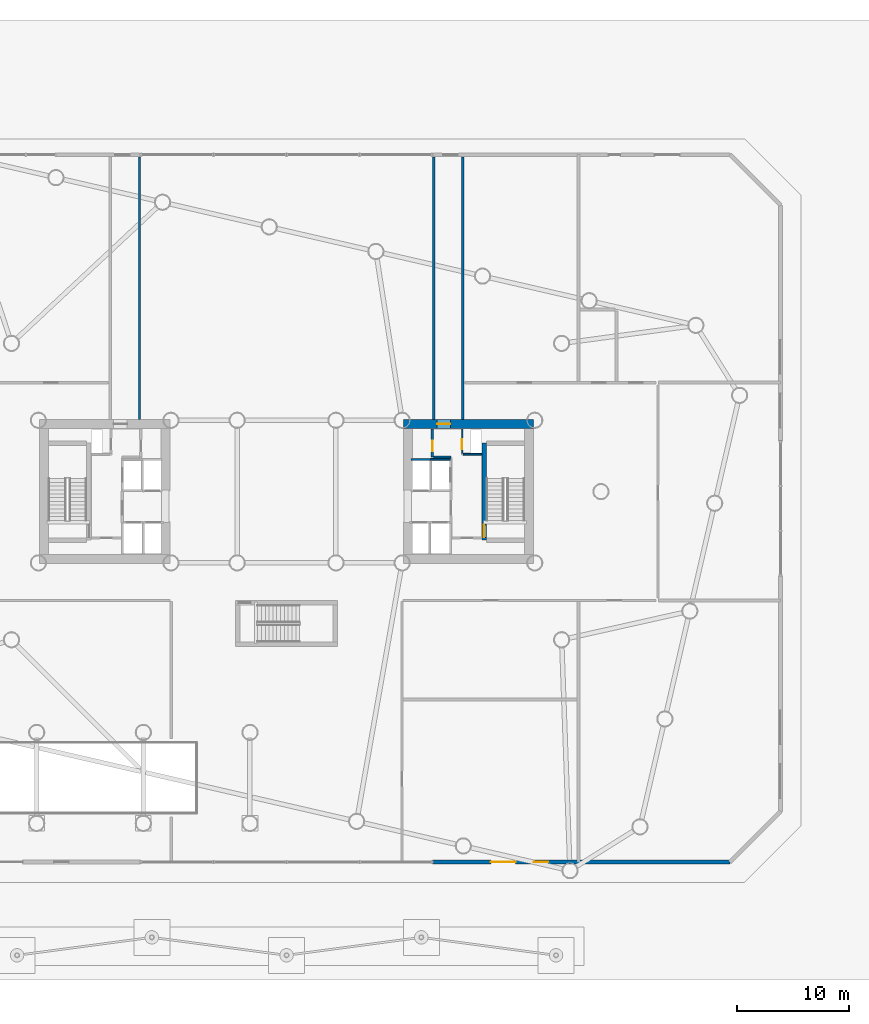
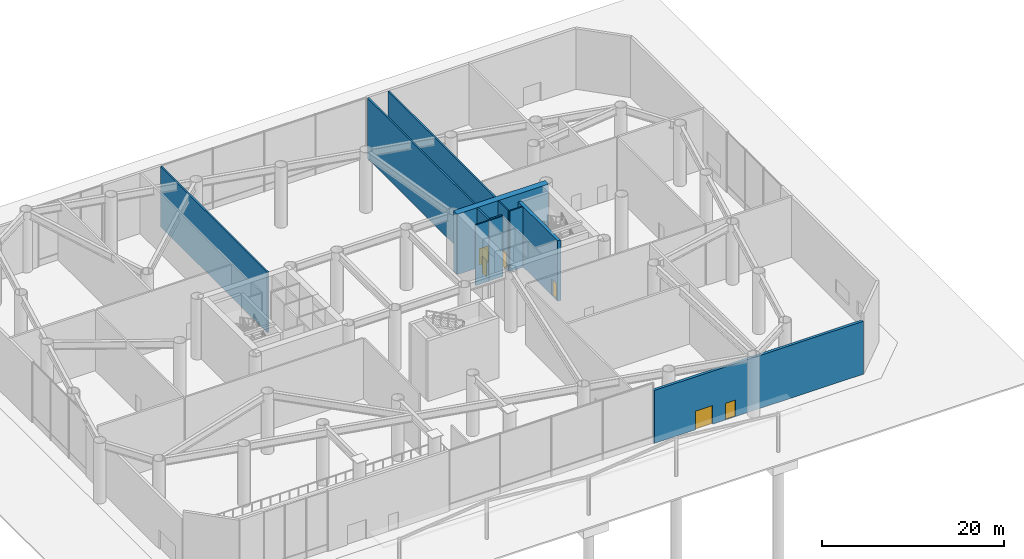
# One storey, part 22 of 28: 12 walls, 6 doors, 6 openings.
"""IFC4 building model written with IfcOpenShell, lengths in metres."""

from ifc_helpers import new_model, si_unit, direction, frame, frame_2d, origin, place, context, subcontext, project, spatial, rectangle, extrude, material, layer, layer_set, type_object, element, fill, save


model = new_model("IFC4")

# Units and contexts
model_context = context("Model", 3, precision=1e-05, world=origin(), true_north=direction((0.0, 1.0)))
body_context = subcontext(model_context, "Body", "Model", "MODEL_VIEW")
ifc_project = project(units=[si_unit("LENGTHUNIT", "METRE"), si_unit("AREAUNIT", "SQUARE_METRE"), si_unit("VOLUMEUNIT", "CUBIC_METRE"), si_unit("PLANEANGLEUNIT", "RADIAN"), si_unit("MASSUNIT", "GRAM", prefix="KILO")], contexts=[model_context])

# Site, building, storey
site_placement = place(None, origin())
site = spatial("IfcSite", under=ifc_project, at=site_placement, CompositionType="ELEMENT")
building_placement = place(site_placement, origin())
building = spatial("IfcBuilding", under=site, at=building_placement, Name="Tavrogorsk Clinical Tower", CompositionType="ELEMENT")
storey_placement = place(building_placement, origin())
storey = spatial("IfcBuildingStorey", under=building, at=storey_placement, Name="L00", CompositionType="ELEMENT", Elevation=0.0)

# Wall, opening, door
ifc_material_1 = material(Name="Concrete B60", Category="concrete")
ifc_layer_1 = layer(ifc_material_1, 0.199951171875)
ifc_layer_set_1 = layer_set([ifc_layer_1], Name="Concrete B60")
wall_type_1 = type_object("IfcWallType", Name="CoreFireWall_200", PredefinedType="SOLIDWALL", material=ifc_layer_set_1)
wall_1_placement = place(storey_placement, frame((12.97998046875, 3.06494140625, 0.0), z_axis=(0.0, 0.0, 1.0), x_axis=(0.0, 1.0, 0.0)))
wall_1 = element("IfcWall", 1, at=wall_1_placement, inside=storey, type_object=wall_type_1, Name="L00 Core East North Core Room East Wall", PredefinedType="SOLIDWALL", context=body_context, shape_type="SweptSolid", body=[
    extrude(rectangle(XDim=2.4951171875, YDim=0.199951171875, at=frame_2d((1.24755859375, 0.0))), origin(), (0.0, 0.0, 1.0), 8.10009765625),
])
opening_1_placement = place(wall_1_placement, frame((0.52001953125, 0.0, 0.0)))
opening_1 = element("IfcOpeningElement", 2, at=opening_1_placement, cuts=wall_1, Name="Opening ID-02", PredefinedType="OPENING", context=body_context, shape_type="SweptSolid", body=[
    extrude(rectangle(XDim=0.949951171875, YDim=2.199951171875, at=frame_2d((0.47509765625, 1.10009765625))), frame((0.0, 0.10986328125, 0.0), z_axis=(0.0, -1.0, 0.0), x_axis=(1.0, 0.0, 0.0)), (0.0, 0.0, 1.0), 0.219970703125),
])
ifc_material_2 = material(Name="Laminated timber leaf on aluminium frame", Category="wood")
door_type_1 = type_object("IfcDoorType", Name="InteriorDoor_ID02_950", OperationType="NOTDEFINED", PredefinedType="DOOR", material=ifc_material_2)
door_1_placement = place(opening_1_placement, origin())
door_1 = element("IfcDoor", 3, at=door_1_placement, inside=storey, type_object=door_type_1, Name="L00 Core East Core Telemetry Room Door", OperationType="SINGLE_SWING_LEFT", OverallHeight=2.199951171875, OverallWidth=0.949951171875, PredefinedType="DOOR", context=body_context, shape_type="SweptSolid", body=[
    extrude(rectangle(XDim=0.949951171875, YDim=2.199951171875, at=frame_2d((0.47509765625, 1.10009765625))), frame((0.0, 0.02490234375, 0.0), z_axis=(0.0, -1.0, 0.0), x_axis=(1.0, 0.0, 0.0)), (0.0, 0.0, 1.0), 0.050048828125),
])
fill(opening_1, door_1)

# Walls
wall_2_placement = place(storey_placement, frame((13.0849609375, 3.06005859375, 0.0), z_axis=(0.0, 0.0, 1.0), x_axis=(1.0, 0.0, 0.0)))
element("IfcWall", 4, at=wall_2_placement, inside=storey, type_object=wall_type_1, Name="L00 Core East Protected Exit Neck South Wall", PredefinedType="SOLIDWALL", context=body_context, shape_type="SweptSolid", body=[
    extrude(rectangle(XDim=1.554931640625, YDim=0.199951171875, at=frame_2d((0.77734375, 0.0))), origin(), (0.0, 0.0, 1.0), 8.10009765625),
])
for number, where, z_axis, x_axis, name in (
    (5, (-13.10009765625, 6.409912109375, 0.0), (0.0, 0.0, 1.0), (0.0, 1.0, 0.0), "L00 West Exit Passageway East Fire Wall"),
    (6, (13.10009765625, 6.409912109375, 0.0), (0.0, 0.0, 1.0), (0.0, 1.0, 0.0), "L00 East Exit Passageway West Fire Wall"),
    (7, (15.699951171875, 6.409912109375, 0.0), (0.0, 0.0, 1.0), (0.0, 1.0, 0.0), "L00 East Exit Passageway East Fire Wall"),
):
    element("IfcWall", number, at=place(storey_placement, frame(where, z_axis=z_axis, x_axis=x_axis)), inside=storey, type_object=wall_type_1, Name=name, PredefinedType="SOLIDWALL", context=body_context, shape_type="SweptSolid", body=[
        extrude(rectangle(XDim=23.41015625, YDim=0.199951171875, at=frame_2d((11.705078125, 0.0))), origin(), (0.0, 0.0, 1.0), 8.10009765625),
    ])

# Wall, openings, doors
ifc_material_3 = material(Name="Precast concrete B45 with limestone cladding", Category="masonry")
ifc_layer_2 = layer(ifc_material_3, 0.340087890625)
ifc_layer_set_2 = layer_set([ifc_layer_2], Name="Precast concrete B45 with limestone cladding")
wall_type_2 = type_object("IfcWallType", Name="PrecastLimestoneWall_340", PredefinedType="STANDARD", material=ifc_layer_set_2)
wall_3_placement = place(storey_placement, frame((13.0, -33.0, 0.0), z_axis=(0.0, 0.0, 1.0), x_axis=(1.0, 0.0, 0.0)))
wall_3 = element("IfcWall", 8, at=wall_3_placement, inside=storey, type_object=wall_type_2, Name="L00 Limestone Lobby Wall 1-3", PredefinedType="STANDARD", context=body_context, shape_type="SweptSolid", body=[
    extrude(rectangle(XDim=26.5, YDim=0.340087890625, at=frame_2d((13.25, 0.0))), origin(), (0.0, 0.0, 1.0), 7.094970703125),
])
opening_2_placement = place(wall_3_placement, frame((5.199951171875, 0.0, 0.0)))
opening_2 = element("IfcOpeningElement", 9, at=opening_2_placement, cuts=wall_3, Name="Opening ED-02", PredefinedType="OPENING", context=body_context, shape_type="SweptSolid", body=[
    extrude(rectangle(XDim=2.199951171875, YDim=2.5, at=frame_2d((1.10009765625, 1.25))), frame((0.0, 0.179931640625, 0.0), z_axis=(0.0, -1.0, 0.0), x_axis=(1.0, 0.0, 0.0)), (0.0, 0.0, 1.0), 0.360107421875),
])
opening_3_placement = place(wall_3_placement, frame((9.0, 0.0, 0.0)))
opening_3 = element("IfcOpeningElement", 10, at=opening_3_placement, cuts=wall_3, Name="Opening ED-04", PredefinedType="OPENING", context=body_context, shape_type="SweptSolid", body=[
    extrude(rectangle(XDim=1.300048828125, YDim=2.199951171875, at=frame_2d((0.64990234375, 1.10009765625))), frame((0.0, 0.179931640625, 0.0), z_axis=(0.0, -1.0, 0.0), x_axis=(1.0, 0.0, 0.0)), (0.0, 0.0, 1.0), 0.360107421875),
])
ifc_material_4 = material(Name="Thermally broken aluminium and laminated safety glass", Category="aluminium")
door_type_2 = type_object("IfcDoorType", Name="AmbulanceBayDoor_ED02_2200", OperationType="DOUBLE_SWING_LEFT", PredefinedType="DOOR", material=ifc_material_4)
door_2_placement = place(opening_2_placement, origin())
door_2 = element("IfcDoor", 11, at=door_2_placement, inside=storey, type_object=door_type_2, Name="L00 Ambulance Triage Entrance Door", OperationType="DOUBLE_SWING_RIGHT", OverallHeight=2.5, OverallWidth=2.199951171875, PredefinedType="DOOR", context=body_context, shape_type="SweptSolid", body=[
    extrude(rectangle(XDim=2.199951171875, YDim=2.5, at=frame_2d((1.10009765625, 1.25))), frame((0.0, 0.02490234375, 0.0), z_axis=(0.0, -1.0, 0.0), x_axis=(1.0, 0.0, 0.0)), (0.0, 0.0, 1.0), 0.050048828125),
])
fill(opening_2, door_2)
ifc_material_5 = material(Name="Thermally broken aluminium and laminated safety glass", Category="aluminium")
door_type_3 = type_object("IfcDoorType", Name="GroundExitDoor_ED04_1300", OperationType="NOTDEFINED", PredefinedType="DOOR", material=ifc_material_5)
door_3_placement = place(opening_3_placement, origin())
door_3 = element("IfcDoor", 12, at=door_3_placement, inside=storey, type_object=door_type_3, Name="L00 South-East Final Exit Discharge Door", OperationType="SINGLE_SWING_RIGHT", OverallHeight=2.199951171875, OverallWidth=1.300048828125, PredefinedType="DOOR", context=body_context, shape_type="SweptSolid", body=[
    extrude(rectangle(XDim=1.300048828125, YDim=2.199951171875, at=frame_2d((0.64990234375, 1.10009765625))), frame((0.0, 0.02490234375, 0.0), z_axis=(0.0, -1.0, 0.0), x_axis=(1.0, 0.0, 0.0)), (0.0, 0.0, 1.0), 0.050048828125),
])
fill(opening_3, door_3)

# Walls
ifc_material_6 = material(Name="Lightweight concrete blockwork B25", Category="masonry")
ifc_layer_3 = layer(ifc_material_6, 0.159912109375)
ifc_layer_set_3 = layer_set([ifc_layer_3], Name="Lightweight concrete blockwork B25")
wall_type_3 = type_object("IfcWallType", Name="ShaftWall_160", PredefinedType="PARTITIONING", material=ifc_layer_set_3)
wall_4_placement = place(storey_placement, frame((12.840087890625, 2.8798828125, 0.0), z_axis=(0.0, 0.0, 1.0), x_axis=(1.0, 0.0, 0.0)))
element("IfcWall", 13, at=wall_4_placement, inside=storey, type_object=wall_type_3, Name="L00 FFL-E Shaft North Wall", PredefinedType="PARTITIONING", context=body_context, shape_type="SweptSolid", body=[
    extrude(rectangle(XDim=1.760009765625, YDim=0.159912109375, at=frame_2d((0.8798828125, 0.0))), origin(), (0.0, 0.0, 1.0), 8.10009765625),
])
wall_5_placement = place(storey_placement, frame((11.10009765625, 2.860107421875, 0.0), z_axis=(0.0, 0.0, 1.0), x_axis=(1.0, 0.0, 0.0)))
element("IfcWall", 14, at=wall_5_placement, inside=storey, type_object=wall_type_3, Name="L00 LP-H2 High-Zone Lift Rear Wall", PredefinedType="PARTITIONING", context=body_context, shape_type="SweptSolid", body=[
    extrude(rectangle(XDim=1.719970703125, YDim=0.159912109375, at=frame_2d((0.85986328125, 0.0))), origin(), (0.0, 0.0, 1.0), 8.10009765625),
])

# Wall, opening, door
wall_6_placement = place(storey_placement, frame((15.639892578125, 3.405029296875, 0.0), z_axis=(0.0, 0.0, 1.0), x_axis=(0.0, 1.0, 0.0)))
wall_6 = element("IfcWall", 15, at=wall_6_placement, inside=storey, type_object=wall_type_3, Name="L00 Core East Riser West Wall", PredefinedType="PARTITIONING", context=body_context, shape_type="SweptSolid", body=[
    extrude(rectangle(XDim=2.155029296875, YDim=0.159912109375, at=frame_2d((1.07763671875, 0.0))), origin(), (0.0, 0.0, 1.0), 8.10009765625),
])
opening_4_placement = place(wall_6_placement, frame((0.35009765625, 0.0, 0.0)))
opening_4 = element("IfcOpeningElement", 16, at=opening_4_placement, cuts=wall_6, Name="Opening FD-02", PredefinedType="OPENING", context=body_context, shape_type="SweptSolid", body=[
    extrude(rectangle(XDim=0.89990234375, YDim=2.199951171875, at=frame_2d((0.449951171875, 1.10009765625))), frame((0.0, 0.08984375, 0.0), z_axis=(0.0, -1.0, 0.0), x_axis=(1.0, 0.0, 0.0)), (0.0, 0.0, 1.0), 0.179931640625),
])
ifc_material_7 = material(Name="Galvanised steel fire-rated door assembly", Category="steel")
door_type_4 = type_object("IfcDoorType", Name="FireDoor_FD02_900", OperationType="NOTDEFINED", PredefinedType="DOOR", material=ifc_material_7)
door_4_placement = place(opening_4_placement, origin())
door_4 = element("IfcDoor", 17, at=door_4_placement, inside=storey, type_object=door_type_4, Name="L00 Core East Electrical Riser Access Door", OperationType="SINGLE_SWING_LEFT", OverallHeight=2.199951171875, OverallWidth=0.89990234375, PredefinedType="DOOR", context=body_context, shape_type="SweptSolid", body=[
    extrude(rectangle(XDim=0.89990234375, YDim=2.199951171875, at=frame_2d((0.449951171875, 1.10009765625))), frame((0.0, 0.02490234375, 0.0), z_axis=(0.0, -1.0, 0.0), x_axis=(1.0, 0.0, 0.0)), (0.0, 0.0, 1.0), 0.050048828125),
])
fill(opening_4, door_4)

# Wall
wall_7_placement = place(storey_placement, frame((15.72509765625, 3.320068359375, 0.0), z_axis=(0.0, 0.0, 1.0), x_axis=(1.0, 0.0, 0.0)))
element("IfcWall", 18, at=wall_7_placement, inside=storey, type_object=wall_type_3, Name="L00 Core East Riser South Wall", PredefinedType="PARTITIONING", context=body_context, shape_type="SweptSolid", body=[
    extrude(rectangle(XDim=1.65478515625, YDim=0.159912109375, at=frame_2d((0.827392578125, 0.0))), origin(), (0.0, 0.0, 1.0), 8.10009765625),
])

# Wall, opening, door
ifc_material_8 = material(Name="Concrete B80", Category="concrete")
ifc_layer_4 = layer(ifc_material_8, 0.39990234375)
ifc_layer_set_4 = layer_set([ifc_layer_4], Name="Concrete B80")
wall_type_4 = type_object("IfcWallType", Name="ShearWall_400", PredefinedType="SHEAR", material=ifc_layer_set_4)
wall_8_placement = place(storey_placement, frame((17.60009765625, -4.324951171875, 0.0), z_axis=(0.0, 0.0, 1.0), x_axis=(0.0, 1.0, 0.0)))
wall_8 = element("IfcWall", 19, at=wall_8_placement, inside=storey, type_object=wall_type_4, Name="L00 Core East Stair Shaft Inner Shear Wall", PredefinedType="SHEAR", context=body_context, shape_type="SweptSolid", body=[
    extrude(rectangle(XDim=8.64990234375, YDim=0.39990234375, at=frame_2d((4.324951171875, 0.0))), origin(), (0.0, 0.0, 1.0), 8.10009765625),
])
opening_5_placement = place(wall_8_placement, frame((0.25, 0.0, 0.0)))
opening_5 = element("IfcOpeningElement", 20, at=opening_5_placement, cuts=wall_8, Name="Opening SD-01", PredefinedType="OPENING", context=body_context, shape_type="SweptSolid", body=[
    extrude(rectangle(XDim=1.10009765625, YDim=2.199951171875, at=frame_2d((0.550048828125, 1.10009765625))), frame((0.0, 0.2099609375, 0.0), z_axis=(0.0, -1.0, 0.0), x_axis=(1.0, 0.0, 0.0)), (0.0, 0.0, 1.0), 0.419921875),
])
ifc_material_9 = material(Name="Galvanised steel smoke-tight fire door assembly", Category="steel")
door_type_5 = type_object("IfcDoorType", Name="StairFireDoor_SD01_1100", OperationType="NOTDEFINED", PredefinedType="DOOR", material=ifc_material_9)
door_5_placement = place(opening_5_placement, origin())
door_5 = element("IfcDoor", 21, at=door_5_placement, inside=storey, type_object=door_type_5, Name="L00 ST-E Exit Stair Door", OperationType="SINGLE_SWING_RIGHT", OverallHeight=2.199951171875, OverallWidth=1.10009765625, PredefinedType="DOOR", context=body_context, shape_type="SweptSolid", body=[
    extrude(rectangle(XDim=1.10009765625, YDim=2.199951171875, at=frame_2d((0.550048828125, 1.10009765625))), frame((0.0, 0.02490234375, 0.0), z_axis=(0.0, -1.0, 0.0), x_axis=(1.0, 0.0, 0.0)), (0.0, 0.0, 1.0), 0.050048828125),
])
fill(opening_5, door_5)

ifc_material_10 = material(Name="Concrete B80", Category="concrete")
ifc_layer_5 = layer(ifc_material_10, 0.800048828125)
ifc_layer_set_5 = layer_set([ifc_layer_5], Name="Concrete B80")
wall_type_5 = type_object("IfcWallType", Name="ShearWall_800", PredefinedType="SHEAR", material=ifc_layer_set_5)
wall_9_placement = place(storey_placement, frame((10.39990234375, 6.0, 0.0), z_axis=(0.0, 0.0, 1.0), x_axis=(1.0, 0.0, 0.0)))
wall_9 = element("IfcWall", 22, at=wall_9_placement, inside=storey, type_object=wall_type_5, Name="L00 Core East North Shear Wall", PredefinedType="SHEAR", context=body_context, shape_type="SweptSolid", body=[
    extrude(rectangle(XDim=11.60009765625, YDim=0.800048828125, at=frame_2d((5.800048828125, 0.0))), origin(), (0.0, 0.0, 1.0), 8.10009765625),
])
opening_6_placement = place(wall_9_placement, frame((3.0, 0.0, 0.0)))
opening_6 = element("IfcOpeningElement", 23, at=opening_6_placement, cuts=wall_9, Name="Opening FD-01", PredefinedType="OPENING", context=body_context, shape_type="SweptSolid", body=[
    extrude(rectangle(XDim=1.199951171875, YDim=2.199951171875, at=frame_2d((0.60009765625, 1.10009765625))), frame((0.0, 0.409912109375, 0.0), z_axis=(0.0, -1.0, 0.0), x_axis=(1.0, 0.0, 0.0)), (0.0, 0.0, 1.0), 0.820068359375),
])
ifc_material_11 = material(Name="Galvanised steel fire-rated door assembly", Category="steel")
door_type_6 = type_object("IfcDoorType", Name="FireDoor_FD01_1200", OperationType="NOTDEFINED", PredefinedType="DOOR", material=ifc_material_11)
door_6_placement = place(opening_6_placement, origin())
door_6 = element("IfcDoor", 24, at=door_6_placement, inside=storey, type_object=door_type_6, Name="L00 Core East Protected Exit Passageway Door", OperationType="SINGLE_SWING_RIGHT", OverallHeight=2.199951171875, OverallWidth=1.199951171875, PredefinedType="DOOR", context=body_context, shape_type="SweptSolid", body=[
    extrude(rectangle(XDim=1.199951171875, YDim=2.199951171875, at=frame_2d((0.60009765625, 1.10009765625))), frame((0.0, 0.02490234375, 0.0), z_axis=(0.0, -1.0, 0.0), x_axis=(1.0, 0.0, 0.0)), (0.0, 0.0, 1.0), 0.050048828125),
])
fill(opening_6, door_6)

save(model, "model.ifc")
